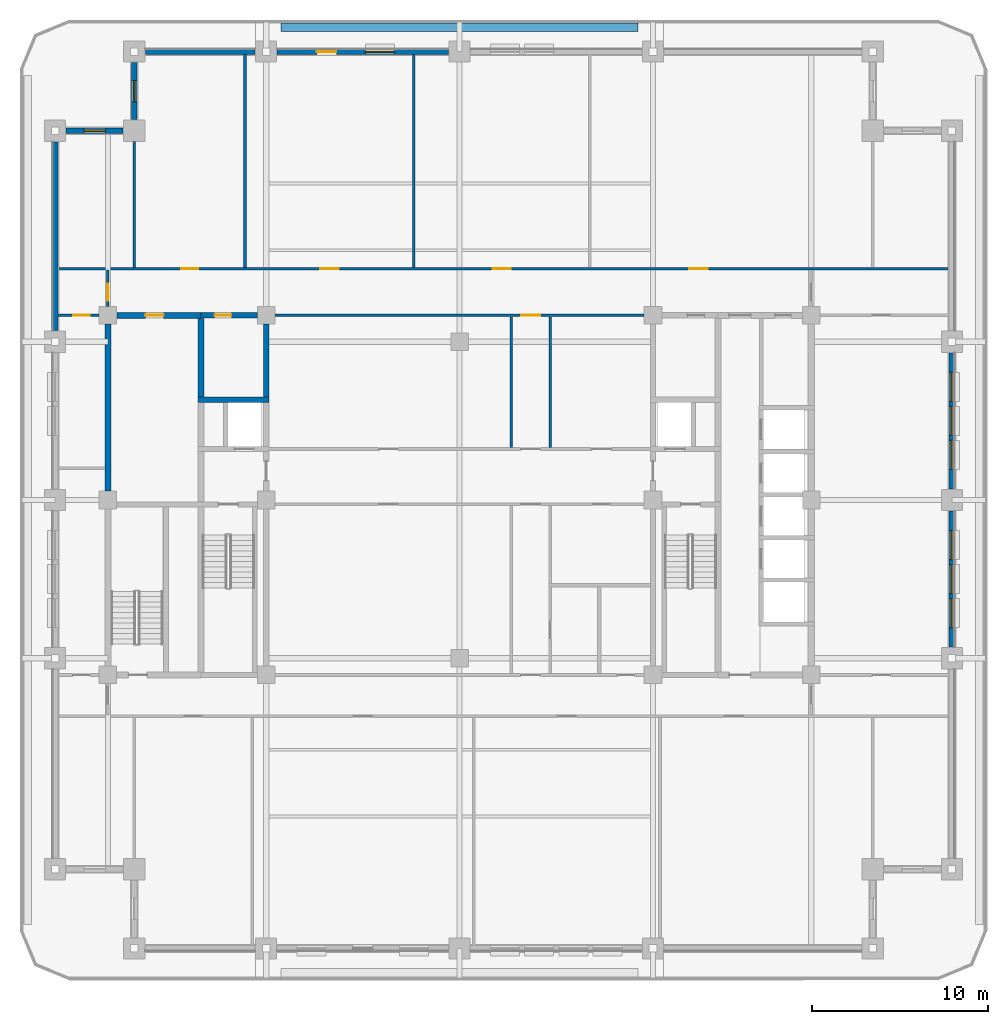
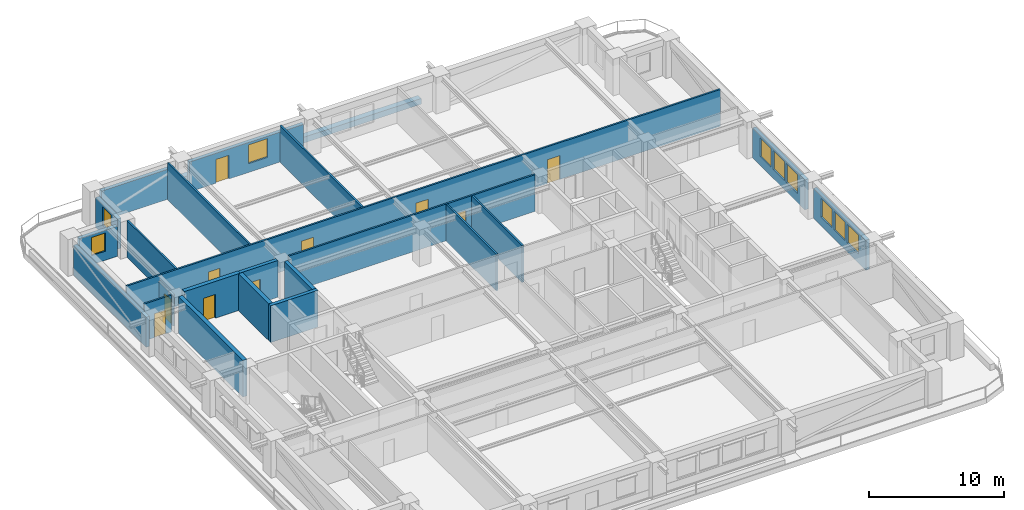
# One storey, part 5 of 13: 23 walls, 10 doors, 9 windows, 19 openings.
"""IFC4 building model written with IfcOpenShell, lengths in metres."""

from ifc_helpers import new_model, si_unit, direction, frame, frame_2d, origin, place, context, subcontext, project, spatial, rectangle, extrude, material, layer, layer_set, type_object, element, fill, save


model = new_model("IFC4")

# Units and contexts
model_context = context("Model", 3, precision=1e-05, world=origin(), true_north=direction((0.0, 1.0)))
body_context = subcontext(model_context, "Body", "Model", "MODEL_VIEW")
ifc_project = project(units=[si_unit("LENGTHUNIT", "METRE"), si_unit("AREAUNIT", "SQUARE_METRE"), si_unit("VOLUMEUNIT", "CUBIC_METRE"), si_unit("PLANEANGLEUNIT", "RADIAN"), si_unit("MASSUNIT", "GRAM", prefix="KILO")], contexts=[model_context])

# Site, building, storey
site_placement = place(None, origin())
site = spatial("IfcSite", under=ifc_project, at=site_placement, CompositionType="ELEMENT")
building_placement = place(site_placement, origin())
building = spatial("IfcBuilding", under=site, at=building_placement, Name="Zulmaris Gate Convention Tower", CompositionType="ELEMENT")
storey_placement = place(building_placement, frame((0.0, 0.0, 105.639892578125)))
storey = spatial("IfcBuildingStorey", under=building, at=storey_placement, Name="L26", CompositionType="ELEMENT", Elevation=105.639892578125)

# Wall
ifc_material_1 = material(Name="Concrete C50/60", Category="concrete")
ifc_layer_1 = layer(ifc_material_1, 0.300048828125, Name="Concrete C50/60")
ifc_layer_set_1 = layer_set([ifc_layer_1], Name="Concrete C50/60")
wall_type_1 = type_object("IfcWallType", Name="CORE-300", PredefinedType="SHEAR", material=ifc_layer_set_1)
wall_1_placement = place(storey_placement, frame((-14.875, 5.699951171875, 0.0), z_axis=(0.0, 0.0, 1.0), x_axis=(1.0, 0.0, 0.0)))
element("IfcWall", 1, at=wall_1_placement, inside=storey, type_object=wall_type_1, Name="WL-L26-015", PredefinedType="SHEAR", context=body_context, shape_type="SweptSolid", body=[
    extrude(rectangle(XDim=4.02490234375, YDim=0.300048828125, at=frame_2d((2.012451171875, 0.0))), origin(), (0.0, 0.0, 1.0), 3.320068359375),
])

# Wall, opening, door
wall_2_placement = place(storey_placement, frame((-14.699951171875, 10.5, 0.0), z_axis=(0.0, 0.0, 1.0), x_axis=(1.0, 0.0, 0.0)))
wall_2 = element("IfcWall", 2, at=wall_2_placement, inside=storey, type_object=wall_type_1, Name="WL-L26-018", PredefinedType="SHEAR", context=body_context, shape_type="SweptSolid", body=[
    extrude(rectangle(XDim=3.196044921875, YDim=0.300048828125, at=frame_2d((1.59814453125, 0.0))), origin(), (0.0, 0.0, 1.0), 3.320068359375),
])
opening_1_placement = place(wall_2_placement, frame((0.77490234375, 0.0, 0.0)))
opening_1 = element("IfcOpeningElement", 3, at=opening_1_placement, cuts=wall_2, Name="Opening D-11", PredefinedType="OPENING", context=body_context, shape_type="SweptSolid", body=[
    extrude(rectangle(XDim=0.949951171875, YDim=2.14990234375, at=frame_2d((0.47509765625, 1.074951171875))), frame((0.0, 0.16015625, 0.0), z_axis=(0.0, -1.0, 0.0), x_axis=(1.0, 0.0, 0.0)), (0.0, 0.0, 1.0), 0.320068359375),
])
ifc_material_2 = material(Name="Fire-Rated Timber", Category="wood")
door_type_1 = type_object("IfcDoorType", Name="DR-950-FD", OperationType="NOTDEFINED", PredefinedType="DOOR", material=ifc_material_2)
door_1_placement = place(opening_1_placement, origin())
door_1 = element("IfcDoor", 4, at=door_1_placement, inside=storey, type_object=door_type_1, Name="L26 Core Pantry Door 07", OperationType="SINGLE_SWING_RIGHT", OverallHeight=2.14990234375, OverallWidth=0.949951171875, PredefinedType="DOOR", context=body_context, shape_type="SweptSolid", body=[
    extrude(rectangle(XDim=0.949951171875, YDim=2.14990234375, at=frame_2d((0.47509765625, 1.074951171875))), frame((0.0, 0.02490234375, 0.0), z_axis=(0.0, -1.0, 0.0), x_axis=(1.0, 0.0, 0.0)), (0.0, 0.0, 1.0), 0.050048828125),
])
fill(opening_1, door_1)

# Wall
wall_3_placement = place(storey_placement, frame((-11.0, 5.85205078125, 0.0), z_axis=(0.0, 0.0, 1.0), x_axis=(0.0, 1.0, 0.0)))
element("IfcWall", 5, at=wall_3_placement, inside=storey, type_object=wall_type_1, Name="WL-L26-045", PredefinedType="SHEAR", context=body_context, shape_type="SweptSolid", body=[
    extrude(rectangle(XDim=4.14404296875, YDim=0.300048828125, at=frame_2d((2.072021484375, 0.0))), origin(), (0.0, 0.0, 1.0), 3.320068359375),
])

# Wall, opening, door
ifc_material_3 = material(Name="Concrete C55/67", Category="concrete")
ifc_layer_2 = layer(ifc_material_3, 0.35009765625, Name="Concrete C55/67")
ifc_layer_set_2 = layer_set([ifc_layer_2], Name="Concrete C55/67")
wall_type_2 = type_object("IfcWallType", Name="CORE-350", PredefinedType="SHEAR", material=ifc_layer_set_2)
wall_4_placement = place(storey_placement, frame((-19.49609375, 10.5, 0.0), z_axis=(0.0, 0.0, 1.0), x_axis=(1.0, 0.0, 0.0)))
wall_4 = element("IfcWall", 6, at=wall_4_placement, inside=storey, type_object=wall_type_2, Name="WL-L26-017", PredefinedType="SHEAR", context=body_context, shape_type="SweptSolid", body=[
    extrude(rectangle(XDim=4.796142578125, YDim=0.35009765625, at=frame_2d((2.39794921875, 0.0))), origin(), (0.0, 0.0, 1.0), 3.320068359375),
])
opening_2_placement = place(wall_4_placement, frame((1.62109375, 0.0, 0.0)))
opening_2 = element("IfcOpeningElement", 7, at=opening_2_placement, cuts=wall_4, Name="Opening D-09", PredefinedType="OPENING", context=body_context, shape_type="SweptSolid", body=[
    extrude(rectangle(XDim=1.050048828125, YDim=2.14990234375, at=frame_2d((0.52490234375, 1.074951171875))), frame((0.0, 0.18505859375, 0.0), z_axis=(0.0, -1.0, 0.0), x_axis=(1.0, 0.0, 0.0)), (0.0, 0.0, 1.0), 0.3701171875),
])
ifc_material_4 = material(Name="Fire-Rated Steel", Category="steel")
door_type_2 = type_object("IfcDoorType", Name="DR-1050-FD", OperationType="NOTDEFINED", PredefinedType="DOOR", material=ifc_material_4)
door_2_placement = place(opening_2_placement, origin())
door_2 = element("IfcDoor", 8, at=door_2_placement, inside=storey, type_object=door_type_2, Name="L26 Reclaimed Archive Door 10", OperationType="SINGLE_SWING_LEFT", OverallHeight=2.14990234375, OverallWidth=1.050048828125, PredefinedType="DOOR", context=body_context, shape_type="SweptSolid", body=[
    extrude(rectangle(XDim=1.050048828125, YDim=2.14990234375, at=frame_2d((0.52490234375, 1.074951171875))), frame((0.0, 0.02490234375, 0.0), z_axis=(0.0, -1.0, 0.0), x_axis=(1.0, 0.0, 0.0)), (0.0, 0.0, 1.0), 0.050048828125),
])
fill(opening_2, door_2)

# Walls
wall_5_placement = place(storey_placement, frame((-20.0, 0.50390625, 0.0), z_axis=(0.0, 0.0, 1.0), x_axis=(0.0, 1.0, 0.0)))
element("IfcWall", 9, at=wall_5_placement, inside=storey, type_object=wall_type_2, Name="WL-L26-034", PredefinedType="SHEAR", context=body_context, shape_type="SweptSolid", body=[
    extrude(rectangle(XDim=9.4921875, YDim=0.35009765625, at=frame_2d((4.74609375, 0.0))), origin(), (0.0, 0.0, 1.0), 3.320068359375),
])
wall_6_placement = place(storey_placement, frame((-14.699951171875, 5.85205078125, 0.0), z_axis=(0.0, 0.0, 1.0), x_axis=(0.0, 1.0, 0.0)))
element("IfcWall", 10, at=wall_6_placement, inside=storey, type_object=wall_type_2, Name="WL-L26-039", PredefinedType="SHEAR", context=body_context, shape_type="SweptSolid", body=[
    extrude(rectangle(XDim=4.470947265625, YDim=0.35009765625, at=frame_2d((2.2353515625, 0.0))), origin(), (0.0, 0.0, 1.0), 3.320068359375),
])

# Wall, opening, door
ifc_material_5 = material(Name="Gypsum Metal Stud Partition")
ifc_layer_3 = layer(ifc_material_5, 0.14990234375, Name="Gypsum Metal Stud Partition")
ifc_layer_set_3 = layer_set([ifc_layer_3], Name="Gypsum Metal Stud Partition")
wall_type_3 = type_object("IfcWallType", Name="PART-150", PredefinedType="PARTITIONING", material=ifc_layer_set_3)
wall_7_placement = place(storey_placement, frame((-22.8349609375, 10.5, 0.0), z_axis=(0.0, 0.0, 1.0), x_axis=(1.0, 0.0, 0.0)))
wall_7 = element("IfcWall", 11, at=wall_7_placement, inside=storey, type_object=wall_type_3, Name="WL-L26-029", PredefinedType="PARTITIONING", context=body_context, shape_type="SweptSolid", body=[
    extrude(rectangle(XDim=2.328857421875, YDim=0.14990234375, at=frame_2d((1.16455078125, 0.0))), origin(), (0.0, 0.0, 1.0), 3.320068359375),
])
opening_3_placement = place(wall_7_placement, frame((0.860107421875, 0.0, 0.0)))
opening_3 = element("IfcOpeningElement", 12, at=opening_3_placement, cuts=wall_7, Name="Opening D-11", PredefinedType="OPENING", context=body_context, shape_type="SweptSolid", body=[
    extrude(rectangle(XDim=0.949951171875, YDim=2.14990234375, at=frame_2d((0.47509765625, 1.074951171875))), frame((0.0, 0.0849609375, 0.0), z_axis=(0.0, -1.0, 0.0), x_axis=(1.0, 0.0, 0.0)), (0.0, 0.0, 1.0), 0.169921875),
])
door_3_placement = place(opening_3_placement, origin())
door_3 = element("IfcDoor", 13, at=door_3_placement, inside=storey, type_object=door_type_1, Name="L26 NW Partner Door 38", OperationType="SINGLE_SWING_LEFT", OverallHeight=2.14990234375, OverallWidth=0.949951171875, PredefinedType="DOOR", context=body_context, shape_type="SweptSolid", body=[
    extrude(rectangle(XDim=0.949951171875, YDim=2.14990234375, at=frame_2d((0.47509765625, 1.074951171875))), frame((0.0, 0.02490234375, 0.0), z_axis=(0.0, -1.0, 0.0), x_axis=(1.0, 0.0, 0.0)), (0.0, 0.0, 1.0), 0.050048828125),
])
fill(opening_3, door_3)

wall_8_placement = place(storey_placement, frame((-10.493896484375, 10.5, 0.0), z_axis=(0.0, 0.0, 1.0), x_axis=(1.0, 0.0, 0.0)))
wall_8 = element("IfcWall", 14, at=wall_8_placement, inside=storey, type_object=wall_type_3, Name="WL-L26-030", PredefinedType="PARTITIONING", context=body_context, shape_type="SweptSolid", body=[
    extrude(rectangle(XDim=20.98779296875, YDim=0.14990234375, at=frame_2d((10.493896484375, 0.0))), origin(), (0.0, 0.0, 1.0), 3.320068359375),
])
opening_4_placement = place(wall_8_placement, frame((13.993896484375, 0.0, 0.0)))
opening_4 = element("IfcOpeningElement", 15, at=opening_4_placement, cuts=wall_8, Name="Opening D-08", PredefinedType="OPENING", context=body_context, shape_type="SweptSolid", body=[
    extrude(rectangle(XDim=1.10009765625, YDim=2.14990234375, at=frame_2d((0.550048828125, 1.074951171875))), frame((0.0, 0.0849609375, 0.0), z_axis=(0.0, -1.0, 0.0), x_axis=(1.0, 0.0, 0.0)), (0.0, 0.0, 1.0), 0.169921875),
])
door_type_3 = type_object("IfcDoorType", Name="DR-1100-FD", OperationType="NOTDEFINED", PredefinedType="DOOR", material=ifc_material_4)
door_4_placement = place(opening_4_placement, origin())
door_4 = element("IfcDoor", 16, at=door_4_placement, inside=storey, type_object=door_type_3, Name="L26 North Gallery Link Door 18", OperationType="SINGLE_SWING_LEFT", OverallHeight=2.14990234375, OverallWidth=1.10009765625, PredefinedType="DOOR", context=body_context, shape_type="SweptSolid", body=[
    extrude(rectangle(XDim=1.10009765625, YDim=2.14990234375, at=frame_2d((0.550048828125, 1.074951171875))), frame((0.0, 0.02490234375, 0.0), z_axis=(0.0, -1.0, 0.0), x_axis=(1.0, 0.0, 0.0)), (0.0, 0.0, 1.0), 0.050048828125),
])
fill(opening_4, door_4)

# Wall, openings, doors
wall_9_placement = place(storey_placement, frame((-22.8349609375, 13.14990234375, 0.0), z_axis=(0.0, 0.0, 1.0), x_axis=(1.0, 0.0, 0.0)))
wall_9 = element("IfcWall", 17, at=wall_9_placement, inside=storey, type_object=wall_type_3, Name="WL-L26-032", PredefinedType="PARTITIONING", context=body_context, shape_type="SweptSolid", body=[
    extrude(rectangle(XDim=50.669921875, YDim=0.14990234375, at=frame_2d((25.3349609375, 0.0))), origin(), (0.0, 0.0, 1.0), 3.320068359375),
])
opening_5_placement = place(wall_9_placement, frame((7.010009765625, 0.0, 0.0)))
opening_5 = element("IfcOpeningElement", 18, at=opening_5_placement, cuts=wall_9, Name="Opening D-11", PredefinedType="OPENING", context=body_context, shape_type="SweptSolid", body=[
    extrude(rectangle(XDim=0.949951171875, YDim=2.14990234375, at=frame_2d((0.47509765625, 1.074951171875))), frame((0.0, 0.0849609375, 0.0), z_axis=(0.0, -1.0, 0.0), x_axis=(1.0, 0.0, 0.0)), (0.0, 0.0, 1.0), 0.169921875),
])
opening_6_placement = place(wall_9_placement, frame((14.909912109375, 0.0, 0.0)))
opening_6 = element("IfcOpeningElement", 19, at=opening_6_placement, cuts=wall_9, Name="Opening D-09", PredefinedType="OPENING", context=body_context, shape_type="SweptSolid", body=[
    extrude(rectangle(XDim=1.050048828125, YDim=2.14990234375, at=frame_2d((0.52490234375, 1.074951171875))), frame((0.0, 0.0849609375, 0.0), z_axis=(0.0, -1.0, 0.0), x_axis=(1.0, 0.0, 0.0)), (0.0, 0.0, 1.0), 0.169921875),
])
opening_7_placement = place(wall_9_placement, frame((24.7099609375, 0.0, 0.0)))
opening_7 = element("IfcOpeningElement", 20, at=opening_7_placement, cuts=wall_9, Name="Opening D-09", PredefinedType="OPENING", context=body_context, shape_type="SweptSolid", body=[
    extrude(rectangle(XDim=1.050048828125, YDim=2.14990234375, at=frame_2d((0.52490234375, 1.074951171875))), frame((0.0, 0.0849609375, 0.0), z_axis=(0.0, -1.0, 0.0), x_axis=(1.0, 0.0, 0.0)), (0.0, 0.0, 1.0), 0.169921875),
])
opening_8_placement = place(wall_9_placement, frame((35.909912109375, 0.0, 0.0)))
opening_8 = element("IfcOpeningElement", 21, at=opening_8_placement, cuts=wall_9, Name="Opening D-09", PredefinedType="OPENING", context=body_context, shape_type="SweptSolid", body=[
    extrude(rectangle(XDim=1.050048828125, YDim=2.14990234375, at=frame_2d((0.52490234375, 1.074951171875))), frame((0.0, 0.0849609375, 0.0), z_axis=(0.0, -1.0, 0.0), x_axis=(1.0, 0.0, 0.0)), (0.0, 0.0, 1.0), 0.169921875),
])
door_5_placement = place(opening_6_placement, origin())
door_5 = element("IfcDoor", 22, at=door_5_placement, inside=storey, type_object=door_type_2, Name="L26 Quiet Focus Study Door 23", OperationType="SINGLE_SWING_RIGHT", OverallHeight=2.14990234375, OverallWidth=1.050048828125, PredefinedType="DOOR", context=body_context, shape_type="SweptSolid", body=[
    extrude(rectangle(XDim=1.050048828125, YDim=2.14990234375, at=frame_2d((0.52490234375, 1.074951171875))), frame((0.0, 0.02490234375, 0.0), z_axis=(0.0, -1.0, 0.0), x_axis=(1.0, 0.0, 0.0)), (0.0, 0.0, 1.0), 0.050048828125),
])
fill(opening_6, door_5)
door_6_placement = place(opening_7_placement, origin())
door_6 = element("IfcDoor", 23, at=door_6_placement, inside=storey, type_object=door_type_2, Name="L26 Legal Library Room Door 24", OperationType="SINGLE_SWING_LEFT", OverallHeight=2.14990234375, OverallWidth=1.050048828125, PredefinedType="DOOR", context=body_context, shape_type="SweptSolid", body=[
    extrude(rectangle(XDim=1.050048828125, YDim=2.14990234375, at=frame_2d((0.52490234375, 1.074951171875))), frame((0.0, 0.02490234375, 0.0), z_axis=(0.0, -1.0, 0.0), x_axis=(1.0, 0.0, 0.0)), (0.0, 0.0, 1.0), 0.050048828125),
])
fill(opening_7, door_6)
door_7_placement = place(opening_8_placement, origin())
door_7 = element("IfcDoor", 24, at=door_7_placement, inside=storey, type_object=door_type_2, Name="L26 Editorial Focus Suite Door 25", OperationType="SINGLE_SWING_RIGHT", OverallHeight=2.14990234375, OverallWidth=1.050048828125, PredefinedType="DOOR", context=body_context, shape_type="SweptSolid", body=[
    extrude(rectangle(XDim=1.050048828125, YDim=2.14990234375, at=frame_2d((0.52490234375, 1.074951171875))), frame((0.0, 0.02490234375, 0.0), z_axis=(0.0, -1.0, 0.0), x_axis=(1.0, 0.0, 0.0)), (0.0, 0.0, 1.0), 0.050048828125),
])
fill(opening_8, door_7)
door_8_placement = place(opening_5_placement, origin())
door_8 = element("IfcDoor", 25, at=door_8_placement, inside=storey, type_object=door_type_1, Name="L26 Research Reading Room Door 22", OperationType="SINGLE_SWING_LEFT", OverallHeight=2.14990234375, OverallWidth=0.949951171875, PredefinedType="DOOR", context=body_context, shape_type="SweptSolid", body=[
    extrude(rectangle(XDim=0.949951171875, YDim=2.14990234375, at=frame_2d((0.47509765625, 1.074951171875))), frame((0.0, 0.02490234375, 0.0), z_axis=(0.0, -1.0, 0.0), x_axis=(1.0, 0.0, 0.0)), (0.0, 0.0, 1.0), 0.050048828125),
])
fill(opening_5, door_8)

# Wall, opening, door
wall_10_placement = place(storey_placement, frame((-20.0, 11.006103515625, 0.0), z_axis=(0.0, 0.0, 1.0), x_axis=(0.0, 1.0, 0.0)))
wall_10 = element("IfcWall", 26, at=wall_10_placement, inside=storey, type_object=wall_type_3, Name="WL-L26-069", PredefinedType="PARTITIONING", context=body_context, shape_type="SweptSolid", body=[
    extrude(rectangle(XDim=2.06591796875, YDim=0.14990234375, at=frame_2d((1.032958984375, 0.0))), origin(), (0.0, 0.0, 1.0), 2.81005859375),
])
opening_9_placement = place(wall_10_placement, frame((0.339111328125, 0.0, 0.0)))
opening_9 = element("IfcOpeningElement", 27, at=opening_9_placement, cuts=wall_10, Name="Opening D-11", PredefinedType="OPENING", context=body_context, shape_type="SweptSolid", body=[
    extrude(rectangle(XDim=0.949951171875, YDim=2.14990234375, at=frame_2d((0.47509765625, 1.074951171875))), frame((0.0, 0.0849609375, 0.0), z_axis=(0.0, -1.0, 0.0), x_axis=(1.0, 0.0, 0.0)), (0.0, 0.0, 1.0), 0.169921875),
])
door_9_placement = place(opening_9_placement, origin())
door_9 = element("IfcDoor", 28, at=door_9_placement, inside=storey, type_object=door_type_1, Name="L26 NW Spur Door 36", OperationType="SINGLE_SWING_LEFT", OverallHeight=2.14990234375, OverallWidth=0.949951171875, PredefinedType="DOOR", context=body_context, shape_type="SweptSolid", body=[
    extrude(rectangle(XDim=0.949951171875, YDim=2.14990234375, at=frame_2d((0.47509765625, 1.074951171875))), frame((0.0, 0.02490234375, 0.0), z_axis=(0.0, -1.0, 0.0), x_axis=(1.0, 0.0, 0.0)), (0.0, 0.0, 1.0), 0.050048828125),
])
fill(opening_9, door_9)

# Walls
wall_11_placement = place(storey_placement, frame((-18.5, 13.22802734375, 0.0), z_axis=(0.0, 0.0, 1.0), x_axis=(0.0, 1.0, 0.0)))
element("IfcWall", 29, at=wall_11_placement, inside=storey, type_object=wall_type_3, Name="WL-L26-071", PredefinedType="PARTITIONING", context=body_context, shape_type="SweptSolid", body=[
    extrude(rectangle(XDim=7.166015625, YDim=0.14990234375, at=frame_2d((3.5830078125, 0.0))), origin(), (0.0, 0.0, 1.0), 3.320068359375),
])
for number, where, z_axis, x_axis, name in (
    (30, (-12.199951171875, 13.22802734375, 0.0), (0.0, 0.0, 1.0), (0.0, 1.0, 0.0), "WL-L26-072"),
    (31, (-2.60009765625, 13.22802734375, 0.0), (0.0, 0.0, 1.0), (0.0, 1.0, 0.0), "WL-L26-074"),
):
    element("IfcWall", number, at=place(storey_placement, frame(where, z_axis=z_axis, x_axis=x_axis)), inside=storey, type_object=wall_type_3, Name=name, PredefinedType="PARTITIONING", context=body_context, shape_type="SweptSolid", body=[
        extrude(rectangle(XDim=12.10693359375, YDim=0.14990234375, at=frame_2d((6.053466796875, 0.0))), origin(), (0.0, 0.0, 1.0), 3.320068359375),
    ])
for number, where, z_axis, x_axis, name in (
    (32, (2.949951171875, 2.97802734375, 0.0), (0.0, 0.0, 1.0), (0.0, 1.0, 0.0), "WL-L26-077"),
    (33, (5.14990234375, 2.97802734375, 0.0), (0.0, 0.0, 1.0), (0.0, 1.0, 0.0), "WL-L26-080"),
):
    element("IfcWall", number, at=place(storey_placement, frame(where, z_axis=z_axis, x_axis=x_axis)), inside=storey, type_object=wall_type_3, Name=name, PredefinedType="PARTITIONING", context=body_context, shape_type="SweptSolid", body=[
        extrude(rectangle(XDim=7.444091796875, YDim=0.14990234375, at=frame_2d((3.72216796875, 0.0))), origin(), (0.0, 0.0, 1.0), 3.320068359375),
    ])
ifc_material_6 = material(Name="Botanical Green Glazed Precast Concrete C40/50", Category="concrete")
ifc_layer_4 = layer(ifc_material_6, 0.419921875, Name="Botanical Green Glazed Precast Concrete C40/50")
ifc_layer_set_4 = layer_set([ifc_layer_4], Name="Botanical Green Glazed Precast Concrete C40/50")
wall_type_4 = type_object("IfcWallType", Name="PLANTER-CURB-200", PredefinedType="PARAPET", material=ifc_layer_set_4)
wall_12_placement = place(storey_placement, frame((-10.14990234375, 26.8798828125, -0.0400390625), z_axis=(0.0, 0.0, 1.0), x_axis=(1.0, 0.0, 0.0)))
element("IfcWall", 34, at=wall_12_placement, inside=storey, type_object=wall_type_4, Name="L26 Full-Length Balcony Tree Planter Trough", PredefinedType="PARAPET", context=body_context, shape_type="SweptSolid", body=[
    extrude(rectangle(XDim=20.2998046875, YDim=0.47998046875, at=frame_2d((10.14990234375, 0.0))), origin(), (0.0, 0.0, 1.0), 0.52001953125),
])

# Wall, opening, window
ifc_material_7 = material(Name="Precast concrete C40/50", Category="concrete")
ifc_layer_5 = layer(ifc_material_7, 0.300048828125, Name="Precast concrete C40/50")
ifc_layer_set_5 = layer_set([ifc_layer_5], Name="Precast concrete C40/50")
wall_type_5 = type_object("IfcWallType", Name="PRECAST-PIER-300", PredefinedType="STANDARD", material=ifc_layer_set_5)
wall_13_placement = place(storey_placement, frame((-18.5, 24.8701171875, 0.0), z_axis=(0.0, 0.0, 1.0), x_axis=(0.0, -1.0, 0.0)))
wall_13 = element("IfcWall", 35, at=wall_13_placement, inside=storey, type_object=wall_type_5, Name="EW-L26-NOTCH-NW1_0", PredefinedType="STANDARD", context=body_context, shape_type="SweptSolid", body=[
    extrude(rectangle(XDim=3.240234375, YDim=0.300048828125, at=frame_2d((1.6201171875, 0.0))), origin(), (0.0, 0.0, 1.0), 2.712158203125),
])
opening_10_placement = place(wall_13_placement, frame((1.02001953125, 0.0, 0.820068359375)))
opening_10 = element("IfcOpeningElement", 36, at=opening_10_placement, cuts=wall_13, Name="Opening W-04", PredefinedType="OPENING", context=body_context, shape_type="SweptSolid", body=[
    extrude(rectangle(XDim=1.199951171875, YDim=1.64990234375, at=frame_2d((0.60009765625, 0.824951171875))), frame((0.0, 0.16015625, 0.0), z_axis=(0.0, -1.0, 0.0), x_axis=(1.0, 0.0, 0.0)), (0.0, 0.0, 1.0), 0.320068359375),
])
ifc_material_8 = material(Name="Low-E Laminated Double Glazing in Aluminium Frame", Category="aluminium")
window_type_1 = type_object("IfcWindowType", Name="WIN-1200x2100", PartitioningType="SINGLE_PANEL", PredefinedType="WINDOW", material=ifc_material_8)
window_1_placement = place(opening_10_placement, origin())
window_1 = element("IfcWindow", 37, at=window_1_placement, inside=storey, type_object=window_type_1, Name="WN-EW-L26-NOTCH-NW1_0", OverallHeight=1.64990234375, OverallWidth=1.199951171875, PartitioningType="SINGLE_PANEL", PredefinedType="WINDOW", context=body_context, shape_type="SweptSolid", body=[
    extrude(rectangle(XDim=1.199951171875, YDim=1.64990234375, at=frame_2d((0.60009765625, 0.824951171875))), frame((0.0, 0.030029296875, 0.0), z_axis=(0.0, -1.0, 0.0), x_axis=(1.0, 0.0, 0.0)), (0.0, 0.0, 1.0), 0.06005859375),
])
fill(opening_10, window_1)

wall_14_placement = place(storey_placement, frame((-19.1298828125, 21.0, 0.0), z_axis=(0.0, 0.0, 1.0), x_axis=(-1.0, 0.0, 0.0)))
wall_14 = element("IfcWall", 38, at=wall_14_placement, inside=storey, type_object=wall_type_5, Name="EW-L26-NOTCH-NW2_0", PredefinedType="STANDARD", context=body_context, shape_type="SweptSolid", body=[
    extrude(rectangle(XDim=3.240234375, YDim=0.300048828125, at=frame_2d((1.6201171875, 0.0))), origin(), (0.0, 0.0, 1.0), 2.712158203125),
])
opening_11_placement = place(wall_14_placement, frame((1.02001953125, 0.0, 0.820068359375)))
opening_11 = element("IfcOpeningElement", 39, at=opening_11_placement, cuts=wall_14, Name="Opening W-04", PredefinedType="OPENING", context=body_context, shape_type="SweptSolid", body=[
    extrude(rectangle(XDim=1.199951171875, YDim=1.64990234375, at=frame_2d((0.60009765625, 0.824951171875))), frame((0.0, 0.16015625, 0.0), z_axis=(0.0, -1.0, 0.0), x_axis=(1.0, 0.0, 0.0)), (0.0, 0.0, 1.0), 0.320068359375),
])
window_2_placement = place(opening_11_placement, origin())
window_2 = element("IfcWindow", 40, at=window_2_placement, inside=storey, type_object=window_type_1, Name="WN-EW-L26-NOTCH-NW2_0", OverallHeight=1.64990234375, OverallWidth=1.199951171875, PartitioningType="SINGLE_PANEL", PredefinedType="WINDOW", context=body_context, shape_type="SweptSolid", body=[
    extrude(rectangle(XDim=1.199951171875, YDim=1.64990234375, at=frame_2d((0.60009765625, 0.824951171875))), frame((0.0, 0.030029296875, 0.0), z_axis=(0.0, -1.0, 0.0), x_axis=(1.0, 0.0, 0.0)), (0.0, 0.0, 1.0), 0.06005859375),
])
fill(opening_11, window_2)

# Wall
wall_15_placement = place(storey_placement, frame((-11.6298828125, 25.5, 0.0), z_axis=(0.0, 0.0, 1.0), x_axis=(-1.0, 0.0, 0.0)))
element("IfcWall", 41, at=wall_15_placement, inside=storey, type_object=wall_type_5, Name="EW-L26-N-0_0", PredefinedType="STANDARD", context=body_context, shape_type="SweptSolid", body=[
    extrude(rectangle(XDim=6.240234375, YDim=0.300048828125, at=frame_2d((3.1201171875, 0.0))), origin(), (0.0, 0.0, 1.0), 2.712158203125),
])

# Wall, openings, door, window
wall_16_placement = place(storey_placement, frame((-0.6298828125, 25.5, 0.0), z_axis=(0.0, 0.0, 1.0), x_axis=(-1.0, 0.0, 0.0)))
wall_16 = element("IfcWall", 42, at=wall_16_placement, inside=storey, type_object=wall_type_5, Name="EW-L26-N-1_0", PredefinedType="STANDARD", context=body_context, shape_type="SweptSolid", body=[
    extrude(rectangle(XDim=9.740234375, YDim=0.300048828125, at=frame_2d((4.8701171875, 0.0))), origin(), (0.0, 0.0, 1.0), 2.712158203125),
])
opening_12_placement = place(wall_16_placement, frame((6.3798828125, 0.0, 0.0)))
opening_12 = element("IfcOpeningElement", 43, at=opening_12_placement, cuts=wall_16, Name="Opening D-04", PredefinedType="OPENING", context=body_context, shape_type="SweptSolid", body=[
    extrude(rectangle(XDim=1.10009765625, YDim=2.14990234375, at=frame_2d((0.550048828125, 1.074951171875))), frame((0.0, 0.16015625, 0.0), z_axis=(0.0, -1.0, 0.0), x_axis=(1.0, 0.0, 0.0)), (0.0, 0.0, 1.0), 0.320068359375),
])
opening_13_placement = place(wall_16_placement, frame((3.071044921875, 0.0, 0.800048828125)))
opening_13 = element("IfcOpeningElement", 44, at=opening_13_placement, cuts=wall_16, Name="Opening W-08", PredefinedType="OPENING", context=body_context, shape_type="SweptSolid", body=[
    extrude(rectangle(XDim=1.64990234375, YDim=1.699951171875, at=frame_2d((0.824951171875, 0.85009765625))), frame((0.0, 0.16015625, 0.0), z_axis=(0.0, -1.0, 0.0), x_axis=(1.0, 0.0, 0.0)), (0.0, 0.0, 1.0), 0.320068359375),
])
ifc_material_9 = material(Name="Anodised Aluminium and Laminated Glass", Category="aluminium")
door_type_4 = type_object("IfcDoorType", Name="ED-1100", OperationType="SINGLE_SWING_RIGHT", PredefinedType="DOOR", material=ifc_material_9)
door_10_placement = place(opening_12_placement, origin())
door_10 = element("IfcDoor", 45, at=door_10_placement, inside=storey, type_object=door_type_4, Name="L26 N Planted Terrace Door", OperationType="SINGLE_SWING_LEFT", OverallHeight=2.14990234375, OverallWidth=1.10009765625, PredefinedType="DOOR", context=body_context, shape_type="SweptSolid", body=[
    extrude(rectangle(XDim=1.10009765625, YDim=2.14990234375, at=frame_2d((0.550048828125, 1.074951171875))), frame((0.0, 0.02490234375, 0.0), z_axis=(0.0, -1.0, 0.0), x_axis=(1.0, 0.0, 0.0)), (0.0, 0.0, 1.0), 0.050048828125),
])
fill(opening_12, door_10)
window_type_2 = type_object("IfcWindowType", Name="WIN-1650x2150", PartitioningType="SINGLE_PANEL", PredefinedType="WINDOW", material=ifc_material_8)
window_3_placement = place(opening_13_placement, origin())
window_3 = element("IfcWindow", 46, at=window_3_placement, inside=storey, type_object=window_type_2, Name="WN-EW-L26-N-1_0-2", OverallHeight=1.699951171875, OverallWidth=1.64990234375, PartitioningType="SINGLE_PANEL", PredefinedType="WINDOW", context=body_context, shape_type="SweptSolid", body=[
    extrude(rectangle(XDim=1.64990234375, YDim=1.699951171875, at=frame_2d((0.824951171875, 0.85009765625))), frame((0.0, 0.030029296875, 0.0), z_axis=(0.0, -1.0, 0.0), x_axis=(1.0, 0.0, 0.0)), (0.0, 0.0, 1.0), 0.06005859375),
])
fill(opening_13, window_3)

# Wall, openings, windows
wall_17_placement = place(storey_placement, frame((28.0, -8.3701171875, 0.0), z_axis=(0.0, 0.0, 1.0), x_axis=(0.0, 1.0, 0.0)))
wall_17 = element("IfcWall", 47, at=wall_17_placement, inside=storey, type_object=wall_type_5, Name="EW-L26-E-1_0", PredefinedType="STANDARD", context=body_context, shape_type="SweptSolid", body=[
    extrude(rectangle(XDim=7.740234375, YDim=0.300048828125, at=frame_2d((3.8701171875, 0.0))), origin(), (0.0, 0.0, 1.0), 2.712158203125),
])
opening_14_placement = place(wall_17_placement, frame((1.110107421875, 0.0, 0.800048828125)))
opening_14 = element("IfcOpeningElement", 48, at=opening_14_placement, cuts=wall_17, Name="Opening W-08", PredefinedType="OPENING", context=body_context, shape_type="SweptSolid", body=[
    extrude(rectangle(XDim=1.64990234375, YDim=1.699951171875, at=frame_2d((0.824951171875, 0.85009765625))), frame((0.0, 0.16015625, 0.0), z_axis=(0.0, -1.0, 0.0), x_axis=(1.0, 0.0, 0.0)), (0.0, 0.0, 1.0), 0.320068359375),
])
opening_15_placement = place(wall_17_placement, frame((3.044921875, 0.0, 0.800048828125)))
opening_15 = element("IfcOpeningElement", 49, at=opening_15_placement, cuts=wall_17, Name="Opening W-08", PredefinedType="OPENING", context=body_context, shape_type="SweptSolid", body=[
    extrude(rectangle(XDim=1.64990234375, YDim=1.699951171875, at=frame_2d((0.824951171875, 0.85009765625))), frame((0.0, 0.16015625, 0.0), z_axis=(0.0, -1.0, 0.0), x_axis=(1.0, 0.0, 0.0)), (0.0, 0.0, 1.0), 0.320068359375),
])
opening_16_placement = place(wall_17_placement, frame((4.97998046875, 0.0, 0.800048828125)))
opening_16 = element("IfcOpeningElement", 50, at=opening_16_placement, cuts=wall_17, Name="Opening W-08", PredefinedType="OPENING", context=body_context, shape_type="SweptSolid", body=[
    extrude(rectangle(XDim=1.64990234375, YDim=1.699951171875, at=frame_2d((0.824951171875, 0.85009765625))), frame((0.0, 0.16015625, 0.0), z_axis=(0.0, -1.0, 0.0), x_axis=(1.0, 0.0, 0.0)), (0.0, 0.0, 1.0), 0.320068359375),
])
window_4_placement = place(opening_14_placement, origin())
window_4 = element("IfcWindow", 51, at=window_4_placement, inside=storey, type_object=window_type_2, Name="WN-EW-L26-E-1_0-1", OverallHeight=1.699951171875, OverallWidth=1.64990234375, PartitioningType="SINGLE_PANEL", PredefinedType="WINDOW", context=body_context, shape_type="SweptSolid", body=[
    extrude(rectangle(XDim=1.64990234375, YDim=1.699951171875, at=frame_2d((0.824951171875, 0.85009765625))), frame((0.0, 0.030029296875, 0.0), z_axis=(0.0, -1.0, 0.0), x_axis=(1.0, 0.0, 0.0)), (0.0, 0.0, 1.0), 0.06005859375),
])
fill(opening_14, window_4)
window_5_placement = place(opening_15_placement, origin())
window_5 = element("IfcWindow", 52, at=window_5_placement, inside=storey, type_object=window_type_2, Name="WN-EW-L26-E-1_0-2", OverallHeight=1.699951171875, OverallWidth=1.64990234375, PartitioningType="SINGLE_PANEL", PredefinedType="WINDOW", context=body_context, shape_type="SweptSolid", body=[
    extrude(rectangle(XDim=1.64990234375, YDim=1.699951171875, at=frame_2d((0.824951171875, 0.85009765625))), frame((0.0, 0.030029296875, 0.0), z_axis=(0.0, -1.0, 0.0), x_axis=(1.0, 0.0, 0.0)), (0.0, 0.0, 1.0), 0.06005859375),
])
fill(opening_15, window_5)
window_6_placement = place(opening_16_placement, origin())
window_6 = element("IfcWindow", 53, at=window_6_placement, inside=storey, type_object=window_type_2, Name="WN-EW-L26-E-1_0-3", OverallHeight=1.699951171875, OverallWidth=1.64990234375, PartitioningType="SINGLE_PANEL", PredefinedType="WINDOW", context=body_context, shape_type="SweptSolid", body=[
    extrude(rectangle(XDim=1.64990234375, YDim=1.699951171875, at=frame_2d((0.824951171875, 0.85009765625))), frame((0.0, 0.030029296875, 0.0), z_axis=(0.0, -1.0, 0.0), x_axis=(1.0, 0.0, 0.0)), (0.0, 0.0, 1.0), 0.06005859375),
])
fill(opening_16, window_6)

wall_18_placement = place(storey_placement, frame((28.0, 0.6298828125, 0.0), z_axis=(0.0, 0.0, 1.0), x_axis=(0.0, 1.0, 0.0)))
wall_18 = element("IfcWall", 54, at=wall_18_placement, inside=storey, type_object=wall_type_5, Name="EW-L26-E-2_0", PredefinedType="STANDARD", context=body_context, shape_type="SweptSolid", body=[
    extrude(rectangle(XDim=7.740234375, YDim=0.300048828125, at=frame_2d((3.8701171875, 0.0))), origin(), (0.0, 0.0, 1.0), 2.712158203125),
])
opening_17_placement = place(wall_18_placement, frame((1.110107421875, 0.0, 0.800048828125)))
opening_17 = element("IfcOpeningElement", 55, at=opening_17_placement, cuts=wall_18, Name="Opening W-08", PredefinedType="OPENING", context=body_context, shape_type="SweptSolid", body=[
    extrude(rectangle(XDim=1.64990234375, YDim=1.699951171875, at=frame_2d((0.824951171875, 0.85009765625))), frame((0.0, 0.16015625, 0.0), z_axis=(0.0, -1.0, 0.0), x_axis=(1.0, 0.0, 0.0)), (0.0, 0.0, 1.0), 0.320068359375),
])
opening_18_placement = place(wall_18_placement, frame((3.044921875, 0.0, 0.800048828125)))
opening_18 = element("IfcOpeningElement", 56, at=opening_18_placement, cuts=wall_18, Name="Opening W-08", PredefinedType="OPENING", context=body_context, shape_type="SweptSolid", body=[
    extrude(rectangle(XDim=1.64990234375, YDim=1.699951171875, at=frame_2d((0.824951171875, 0.85009765625))), frame((0.0, 0.16015625, 0.0), z_axis=(0.0, -1.0, 0.0), x_axis=(1.0, 0.0, 0.0)), (0.0, 0.0, 1.0), 0.320068359375),
])
opening_19_placement = place(wall_18_placement, frame((4.97998046875, 0.0, 0.800048828125)))
opening_19 = element("IfcOpeningElement", 57, at=opening_19_placement, cuts=wall_18, Name="Opening W-08", PredefinedType="OPENING", context=body_context, shape_type="SweptSolid", body=[
    extrude(rectangle(XDim=1.64990234375, YDim=1.699951171875, at=frame_2d((0.824951171875, 0.85009765625))), frame((0.0, 0.16015625, 0.0), z_axis=(0.0, -1.0, 0.0), x_axis=(1.0, 0.0, 0.0)), (0.0, 0.0, 1.0), 0.320068359375),
])
window_7_placement = place(opening_17_placement, origin())
window_7 = element("IfcWindow", 58, at=window_7_placement, inside=storey, type_object=window_type_2, Name="WN-EW-L26-E-2_0-1", OverallHeight=1.699951171875, OverallWidth=1.64990234375, PartitioningType="SINGLE_PANEL", PredefinedType="WINDOW", context=body_context, shape_type="SweptSolid", body=[
    extrude(rectangle(XDim=1.64990234375, YDim=1.699951171875, at=frame_2d((0.824951171875, 0.85009765625))), frame((0.0, 0.030029296875, 0.0), z_axis=(0.0, -1.0, 0.0), x_axis=(1.0, 0.0, 0.0)), (0.0, 0.0, 1.0), 0.06005859375),
])
fill(opening_17, window_7)
window_8_placement = place(opening_18_placement, origin())
window_8 = element("IfcWindow", 59, at=window_8_placement, inside=storey, type_object=window_type_2, Name="WN-EW-L26-E-2_0-2", OverallHeight=1.699951171875, OverallWidth=1.64990234375, PartitioningType="SINGLE_PANEL", PredefinedType="WINDOW", context=body_context, shape_type="SweptSolid", body=[
    extrude(rectangle(XDim=1.64990234375, YDim=1.699951171875, at=frame_2d((0.824951171875, 0.85009765625))), frame((0.0, 0.030029296875, 0.0), z_axis=(0.0, -1.0, 0.0), x_axis=(1.0, 0.0, 0.0)), (0.0, 0.0, 1.0), 0.06005859375),
])
fill(opening_18, window_8)
window_9_placement = place(opening_19_placement, origin())
window_9 = element("IfcWindow", 60, at=window_9_placement, inside=storey, type_object=window_type_2, Name="WN-EW-L26-E-2_0-3", OverallHeight=1.699951171875, OverallWidth=1.64990234375, PartitioningType="SINGLE_PANEL", PredefinedType="WINDOW", context=body_context, shape_type="SweptSolid", body=[
    extrude(rectangle(XDim=1.64990234375, YDim=1.699951171875, at=frame_2d((0.824951171875, 0.85009765625))), frame((0.0, 0.030029296875, 0.0), z_axis=(0.0, -1.0, 0.0), x_axis=(1.0, 0.0, 0.0)), (0.0, 0.0, 1.0), 0.06005859375),
])
fill(opening_19, window_9)

# Wall
wall_19_placement = place(storey_placement, frame((-23.0, 20.3701171875, 0.0), z_axis=(0.0, 0.0, 1.0), x_axis=(0.0, -1.0, 0.0)))
element("IfcWall", 61, at=wall_19_placement, inside=storey, type_object=wall_type_5, Name="EW-L26-W-3_0", PredefinedType="STANDARD", context=body_context, shape_type="SweptSolid", body=[
    extrude(rectangle(XDim=10.740234375, YDim=0.300048828125, at=frame_2d((5.3701171875, 0.0))), origin(), (0.0, 0.0, 1.0), 2.712158203125),
])

save(model, "model.ifc")
